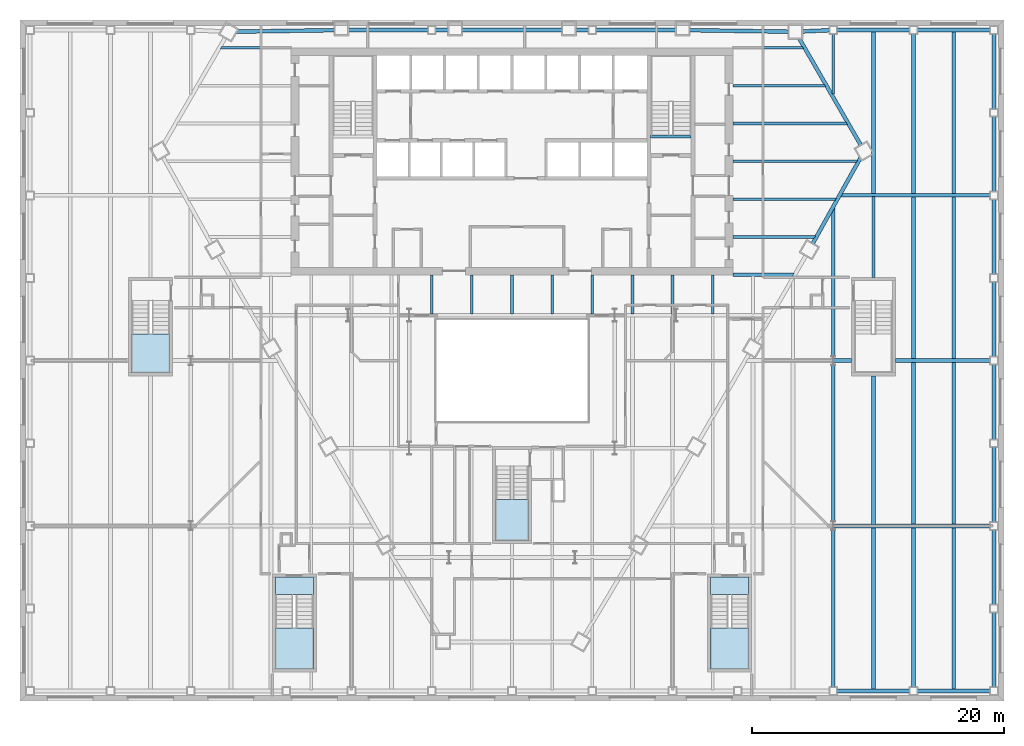
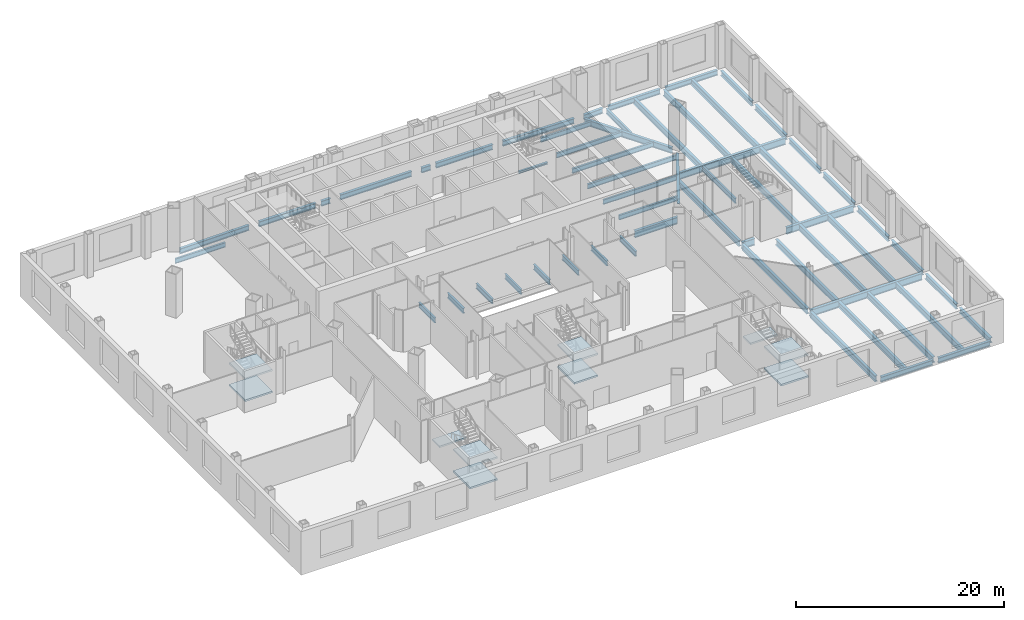
# One storey, part 6 of 21: 59 beams, 10 slabs, 4 elements without a shape of their own.
"""IFC4 building model written with IfcOpenShell, lengths in metres."""

from ifc_helpers import new_model, si_unit, direction, frame, origin, origin_2d, place, context, subcontext, project, spatial, polyline, i_section, outline, extrude, clip, halfspace, material, layer, layer_set, material_profile, profile_set, type_object, element, aggregate, save


model = new_model("IFC4")

# Units and contexts
model_context = context("Model", 3, precision=1e-05, world=origin(), true_north=direction((0.0, 1.0)))
body_context = subcontext(model_context, "Body", "Model", "MODEL_VIEW")
ifc_project = project(units=[si_unit("LENGTHUNIT", "METRE"), si_unit("AREAUNIT", "SQUARE_METRE"), si_unit("VOLUMEUNIT", "CUBIC_METRE"), si_unit("PLANEANGLEUNIT", "RADIAN"), si_unit("MASSUNIT", "GRAM", prefix="KILO")], contexts=[model_context])

# Site, building, storey
site_placement = place(None, origin())
site = spatial("IfcSite", under=ifc_project, at=site_placement, CompositionType="ELEMENT")
building_placement = place(site_placement, origin())
building = spatial("IfcBuilding", under=site, at=building_placement, Name="Njiva Tower", CompositionType="ELEMENT")
storey_placement = place(building_placement, frame((0.0, 0.0, 8.4)))
storey = spatial("IfcBuildingStorey", under=building, at=storey_placement, Name="L01", CompositionType="ELEMENT", Elevation=8.4)

# Beams
ifc_material_1 = material(Name="Steel S355 J2", Category="steel")
ifc_material_profile_1 = material_profile(ifc_material_1, i_section(OverallWidth=0.3, OverallDepth=0.69, WebThickness=0.0145, FlangeThickness=0.027, at=origin_2d()), Name="HEA 700")
ifc_profile_set_1 = profile_set([ifc_material_profile_1], Name="Steel S355 J2")
beam_type_1 = type_object("IfcBeamType", Name="B1 Long-span spandrel beam HEA 700", PredefinedType="SPANDREL", material=ifc_profile_set_1)
beam_1_placement = place(storey_placement, frame((27.648, 10.284, -0.565), z_axis=(-0.500015802937, 0.866016279763, 0.0), x_axis=(-0.866016279763, -0.500015802937, 0.0)))
element("IfcBeam", 1, at=beam_1_placement, inside=storey, type_object=beam_type_1, Name="Long-span spandrel beam L01-B173", PredefinedType="SPANDREL", context=body_context, shape_type="Clipping", body=[
    clip(extrude(i_section(OverallWidth=0.3, OverallDepth=0.69, WebThickness=0.0145, FlangeThickness=0.027, at=origin_2d()), origin(), (0.0, 0.0, 1.0), 9.8447), halfspace(frame((-0.0248, 0.0, 9.7234), z_axis=(-0.500015802937, 0.0, 0.866016279763), x_axis=(0.0, 1.0, 0.0)), False)),
])
ifc_material_profile_2 = material_profile(ifc_material_1, i_section(OverallWidth=0.21, OverallDepth=0.55, WebThickness=0.0111, FlangeThickness=0.0172, at=origin_2d()), Name="IPE 550")
ifc_profile_set_2 = profile_set([ifc_material_profile_2], Name="Steel S355 J2")
beam_type_2 = type_object("IfcBeamType", Name="B10 Floor beam to the core IPE 550", PredefinedType="BEAM", material=ifc_profile_set_2)
beam_2_placement = place(storey_placement, frame((17.5, 3.0, -0.495), z_axis=(1.0, 0.0, 0.0), x_axis=(0.0, 1.0, 0.0)))
element("IfcBeam", 2, at=beam_2_placement, inside=storey, type_object=beam_type_2, Name="Floor beam to the core L01-B007", PredefinedType="BEAM", context=body_context, shape_type="Clipping", body=[
    clip(extrude(i_section(OverallWidth=0.21, OverallDepth=0.55, WebThickness=0.0111, FlangeThickness=0.0172, at=origin_2d()), origin(), (0.0, 0.0, 1.0), 6.591), halfspace(frame((-0.0244, 0.0, 6.4981), z_axis=(-0.487051738924, 0.0, 0.87337311821), x_axis=(0.0, 1.0, 0.0)), False)),
])
beam_3_placement = place(storey_placement, frame((17.5, 6.0, -0.495), z_axis=(1.0, 0.0, 0.0), x_axis=(0.0, 1.0, 0.0)))
element("IfcBeam", 3, at=beam_3_placement, inside=storey, type_object=beam_type_2, Name="Floor beam to the core L01-B008", PredefinedType="BEAM", context=body_context, shape_type="Clipping", body=[
    clip(extrude(i_section(OverallWidth=0.21, OverallDepth=0.55, WebThickness=0.0111, FlangeThickness=0.0172, at=origin_2d()), origin(), (0.0, 0.0, 1.0), 8.264), halfspace(frame((-0.0244, 0.0, 8.171), z_axis=(-0.487051738924, 0.0, 0.87337311821), x_axis=(0.0, 1.0, 0.0)), False)),
])
beam_4_placement = place(storey_placement, frame((17.5, 12.0, -0.495), z_axis=(1.0, 0.0, 0.0), x_axis=(0.0, 1.0, 0.0)))
element("IfcBeam", 4, at=beam_4_placement, inside=storey, type_object=beam_type_2, Name="Floor beam to the core L01-B010", PredefinedType="BEAM", context=body_context, shape_type="Clipping", body=[
    clip(extrude(i_section(OverallWidth=0.21, OverallDepth=0.55, WebThickness=0.0111, FlangeThickness=0.0172, at=origin_2d()), origin(), (0.0, 0.0, 1.0), 9.122), halfspace(frame((0.025, 0.0, 9.0269), z_axis=(0.499998009787, 0.0, 0.866026552831), x_axis=(0.0, 1.0, 0.0)), False)),
])
beam_5_placement = place(storey_placement, frame((17.5, 15.0, -0.495), z_axis=(1.0, 0.0, 0.0), x_axis=(0.0, 1.0, 0.0)))
element("IfcBeam", 5, at=beam_5_placement, inside=storey, type_object=beam_type_2, Name="Floor beam to the core L01-B011", PredefinedType="BEAM", context=body_context, shape_type="Clipping", body=[
    clip(extrude(i_section(OverallWidth=0.21, OverallDepth=0.55, WebThickness=0.0111, FlangeThickness=0.0172, at=origin_2d()), origin(), (0.0, 0.0, 1.0), 7.39), halfspace(frame((0.025, 0.0, 7.2949), z_axis=(0.499998009787, 0.0, 0.866026552831), x_axis=(0.0, 1.0, 0.0)), False)),
])
beam_6_placement = place(storey_placement, frame((-23.158, 18.0, -0.495), z_axis=(1.0, 0.0, 0.0), x_axis=(0.0, 1.0, 0.0)))
element("IfcBeam", 6, at=beam_6_placement, inside=storey, type_object=beam_type_2, Name="Floor beam to the core L01-B006", PredefinedType="BEAM", context=body_context, shape_type="Clipping", body=[
    clip(extrude(i_section(OverallWidth=0.21, OverallDepth=0.55, WebThickness=0.0111, FlangeThickness=0.0172, at=origin_2d()), origin(), (0.0, 0.0, 1.0), 5.658), halfspace(frame((0.025, 0.0, 0.0952), z_axis=(0.499998009787, 0.0, -0.866026552831), x_axis=(0.0, -1.0, 0.0)), False)),
])
beam_7_placement = place(storey_placement, frame((17.5, 18.0, -0.495), z_axis=(1.0, 0.0, 0.0), x_axis=(0.0, 1.0, 0.0)))
element("IfcBeam", 7, at=beam_7_placement, inside=storey, type_object=beam_type_2, Name="Floor beam to the core L01-B012", PredefinedType="BEAM", context=body_context, shape_type="Clipping", body=[
    clip(extrude(i_section(OverallWidth=0.21, OverallDepth=0.55, WebThickness=0.0111, FlangeThickness=0.0172, at=origin_2d()), origin(), (0.0, 0.0, 1.0), 5.658), halfspace(frame((0.025, 0.0, 5.5628), z_axis=(0.499998009787, 0.0, 0.866026552831), x_axis=(0.0, 1.0, 0.0)), False)),
])
ifc_material_profile_3 = material_profile(ifc_material_1, i_section(OverallWidth=0.21, OverallDepth=0.55, WebThickness=0.0111, FlangeThickness=0.0172, at=origin_2d()), Name="IPE 550")
ifc_profile_set_3 = profile_set([ifc_material_profile_3], Name="Steel S355 J2")
beam_type_3 = type_object("IfcBeamType", Name="B11 Long-span floor beam to the core IPE 550", PredefinedType="BEAM", material=ifc_profile_set_3)
beam_8_placement = place(storey_placement, frame((17.5, 9.0, -0.495), z_axis=(1.0, 0.0, 0.0), x_axis=(0.0, 1.0, 0.0)))
element("IfcBeam", 8, at=beam_8_placement, inside=storey, type_object=beam_type_3, Name="Long-span floor beam to the core L01-B009", PredefinedType="BEAM", context=body_context, shape_type="Clipping", body=[
    clip(extrude(i_section(OverallWidth=0.21, OverallDepth=0.55, WebThickness=0.0111, FlangeThickness=0.0172, at=origin_2d()), origin(), (0.0, 0.0, 1.0), 9.937), halfspace(frame((-0.0244, 0.0, 9.844), z_axis=(-0.487051738924, 0.0, 0.87337311821), x_axis=(0.0, 1.0, 0.0)), False)),
])
ifc_material_profile_4 = material_profile(ifc_material_1, i_section(OverallWidth=0.3, OverallDepth=0.69, WebThickness=0.0145, FlangeThickness=0.027, at=origin_2d()), Name="HEA 700")
ifc_profile_set_4 = profile_set([ifc_material_profile_4], Name="Steel S355 J2")
beam_type_4 = type_object("IfcBeamType", Name="B12 Long-span floor joist HEA 700", PredefinedType="JOIST", material=ifc_profile_set_4)
beam_9_placement = place(storey_placement, frame((25.467, 5.288, -0.565), z_axis=(0.0, -1.0, 0.0), x_axis=(1.0, 0.0, 0.0)))
element("IfcBeam", 9, at=beam_9_placement, inside=storey, type_object=beam_type_4, Name="Long-span floor joist L01-B116", PredefinedType="JOIST", context=body_context, shape_type="SweptSolid", body=[
    extrude(i_section(OverallWidth=0.3, OverallDepth=0.69, WebThickness=0.0145, FlangeThickness=0.027, at=origin_2d()), origin(), (0.0, 0.0, 1.0), 11.78),
])
beam_10_placement = place(storey_placement, frame((25.467, -7.108, -0.565), z_axis=(0.0, -1.0, 0.0), x_axis=(1.0, 0.0, 0.0)))
element("IfcBeam", 10, at=beam_10_placement, inside=storey, type_object=beam_type_4, Name="Long-span floor joist L01-B115", PredefinedType="JOIST", context=body_context, shape_type="SweptSolid", body=[
    extrude(i_section(OverallWidth=0.3, OverallDepth=0.69, WebThickness=0.0145, FlangeThickness=0.027, at=origin_2d()), origin(), (0.0, 0.0, 1.0), 12.484),
])
beam_11_placement = place(storey_placement, frame((25.467, -20.208, -0.565), z_axis=(0.0, -1.0, 0.0), x_axis=(1.0, 0.0, 0.0)))
element("IfcBeam", 11, at=beam_11_placement, inside=storey, type_object=beam_type_4, Name="Long-span floor joist L01-B114", PredefinedType="JOIST", context=body_context, shape_type="SweptSolid", body=[
    extrude(i_section(OverallWidth=0.3, OverallDepth=0.69, WebThickness=0.0145, FlangeThickness=0.027, at=origin_2d()), origin(), (0.0, 0.0, 1.0), 12.492),
])
beam_12_placement = place(storey_placement, frame((28.65, 19.3, -0.565), z_axis=(0.0, -1.0, 0.0), x_axis=(1.0, 0.0, 0.0)))
element("IfcBeam", 12, at=beam_12_placement, inside=storey, type_object=beam_type_4, Name="Long-span floor joist L01-B121", PredefinedType="JOIST", context=body_context, shape_type="SweptSolid", body=[
    extrude(i_section(OverallWidth=0.3, OverallDepth=0.69, WebThickness=0.0145, FlangeThickness=0.027, at=origin_2d()), origin(), (0.0, 0.0, 1.0), 12.9),
])
beam_13_placement = place(storey_placement, frame((28.65, -8.0, -0.565), z_axis=(0.0, -1.0, 0.0), x_axis=(1.0, 0.0, 0.0)))
element("IfcBeam", 13, at=beam_13_placement, inside=storey, type_object=beam_type_4, Name="Long-span floor joist L01-B119", PredefinedType="JOIST", context=body_context, shape_type="SweptSolid", body=[
    extrude(i_section(OverallWidth=0.3, OverallDepth=0.69, WebThickness=0.0145, FlangeThickness=0.027, at=origin_2d()), origin(), (0.0, 0.0, 1.0), 11.8),
])
beam_14_placement = place(storey_placement, frame((28.65, -20.0, -0.565), z_axis=(0.0, -1.0, 0.0), x_axis=(1.0, 0.0, 0.0)))
element("IfcBeam", 14, at=beam_14_placement, inside=storey, type_object=beam_type_4, Name="Long-span floor joist L01-B118", PredefinedType="JOIST", context=body_context, shape_type="SweptSolid", body=[
    extrude(i_section(OverallWidth=0.3, OverallDepth=0.69, WebThickness=0.0145, FlangeThickness=0.027, at=origin_2d()), origin(), (0.0, 0.0, 1.0), 12.9),
])
beam_15_placement = place(storey_placement, frame((31.833, 19.1, -0.565), z_axis=(0.0, -1.0, 0.0), x_axis=(1.0, 0.0, 0.0)))
element("IfcBeam", 15, at=beam_15_placement, inside=storey, type_object=beam_type_4, Name="Long-span floor joist L01-B125", PredefinedType="JOIST", context=body_context, shape_type="SweptSolid", body=[
    extrude(i_section(OverallWidth=0.3, OverallDepth=0.69, WebThickness=0.0145, FlangeThickness=0.027, at=origin_2d()), origin(), (0.0, 0.0, 1.0), 12.7),
])
for number, where, z_axis, x_axis, name in (
    (16, (31.833, 6.2, -0.565), (0.0, -1.0, 0.0), (1.0, 0.0, 0.0), "Long-span floor joist L01-B124"),
    (17, (31.833, -6.9, -0.565), (0.0, -1.0, 0.0), (1.0, 0.0, 0.0), "Long-span floor joist L01-B123"),
):
    element("IfcBeam", number, at=place(storey_placement, frame(where, z_axis=z_axis, x_axis=x_axis)), inside=storey, type_object=beam_type_4, Name=name, PredefinedType="JOIST", context=body_context, shape_type="SweptSolid", body=[
        extrude(i_section(OverallWidth=0.3, OverallDepth=0.69, WebThickness=0.0145, FlangeThickness=0.027, at=origin_2d()), origin(), (0.0, 0.0, 1.0), 12.9),
    ])
beam_16_placement = place(storey_placement, frame((31.833, -20.0, -0.565), z_axis=(0.0, -1.0, 0.0), x_axis=(1.0, 0.0, 0.0)))
element("IfcBeam", 18, at=beam_16_placement, inside=storey, type_object=beam_type_4, Name="Long-span floor joist L01-B122", PredefinedType="JOIST", context=body_context, shape_type="SweptSolid", body=[
    extrude(i_section(OverallWidth=0.3, OverallDepth=0.69, WebThickness=0.0145, FlangeThickness=0.027, at=origin_2d()), origin(), (0.0, 0.0, 1.0), 12.7),
])
for number, where, z_axis, x_axis, name in (
    (19, (35.017, 19.3, -0.565), (0.0, -1.0, 0.0), (1.0, 0.0, 0.0), "Long-span floor joist L01-B129"),
    (20, (35.017, 6.2, -0.565), (0.0, -1.0, 0.0), (1.0, 0.0, 0.0), "Long-span floor joist L01-B128"),
    (21, (35.017, -6.9, -0.565), (0.0, -1.0, 0.0), (1.0, 0.0, 0.0), "Long-span floor joist L01-B127"),
    (22, (35.017, -20.0, -0.565), (0.0, -1.0, 0.0), (1.0, 0.0, 0.0), "Long-span floor joist L01-B126"),
):
    element("IfcBeam", number, at=place(storey_placement, frame(where, z_axis=z_axis, x_axis=x_axis)), inside=storey, type_object=beam_type_4, Name=name, PredefinedType="JOIST", context=body_context, shape_type="SweptSolid", body=[
        extrude(i_section(OverallWidth=0.3, OverallDepth=0.69, WebThickness=0.0145, FlangeThickness=0.027, at=origin_2d()), origin(), (0.0, 0.0, 1.0), 12.9),
    ])
ifc_material_profile_5 = material_profile(ifc_material_1, i_section(OverallWidth=0.22, OverallDepth=0.6, WebThickness=0.012, FlangeThickness=0.019, at=origin_2d()), Name="IPE 600")
ifc_profile_set_5 = profile_set([ifc_material_profile_5], Name="Steel S355 J2")
beam_type_5 = type_object("IfcBeamType", Name="B13 Floor joist IPE 600", PredefinedType="JOIST", material=ifc_profile_set_5)
beam_17_placement = place(storey_placement, frame((25.467, 19.1, -0.52), z_axis=(0.0, -1.0, 0.0), x_axis=(1.0, 0.0, 0.0)))
element("IfcBeam", 23, at=beam_17_placement, inside=storey, type_object=beam_type_5, Name="Floor joist L01-B117", PredefinedType="JOIST", context=body_context, shape_type="SweptSolid", body=[
    extrude(i_section(OverallWidth=0.22, OverallDepth=0.6, WebThickness=0.012, FlangeThickness=0.019, at=origin_2d()), origin(), (0.0, 0.0, 1.0), 4.772),
])
beam_18_placement = place(storey_placement, frame((28.65, 6.2, -0.52), z_axis=(0.0, -1.0, 0.0), x_axis=(1.0, 0.0, 0.0)))
element("IfcBeam", 24, at=beam_18_placement, inside=storey, type_object=beam_type_5, Name="Floor joist L01-B120", PredefinedType="JOIST", context=body_context, shape_type="SweptSolid", body=[
    extrude(i_section(OverallWidth=0.22, OverallDepth=0.6, WebThickness=0.012, FlangeThickness=0.019, at=origin_2d()), origin(), (0.0, 0.0, 1.0), 6.4),
])
ifc_material_profile_6 = material_profile(ifc_material_1, i_section(OverallWidth=0.22, OverallDepth=0.6, WebThickness=0.012, FlangeThickness=0.019, at=origin_2d()), Name="IPE 600")
ifc_profile_set_6 = profile_set([ifc_material_profile_6], Name="Steel S355 J2")
beam_type_6 = type_object("IfcBeamType", Name="B14 Short-span floor joist IPE 600", PredefinedType="JOIST", material=ifc_profile_set_6)
for number, where, z_axis, x_axis, name in (
    (25, (-6.367, -0.005, -0.52), (0.0, -1.0, 0.0), (1.0, 0.0, 0.0), "Short-span floor joist L01-B076"),
    (26, (-3.183, -0.005, -0.52), (0.0, -1.0, 0.0), (1.0, 0.0, 0.0), "Short-span floor joist L01-B080"),
    (27, (0.0, -0.005, -0.52), (0.0, -1.0, 0.0), (1.0, 0.0, 0.0), "Short-span floor joist L01-B084"),
    (28, (3.183, -0.005, -0.52), (0.0, -1.0, 0.0), (1.0, 0.0, 0.0), "Short-span floor joist L01-B088"),
    (29, (6.367, -0.005, -0.52), (0.0, -1.0, 0.0), (1.0, 0.0, 0.0), "Short-span floor joist L01-B092"),
):
    element("IfcBeam", number, at=place(storey_placement, frame(where, z_axis=z_axis, x_axis=x_axis)), inside=storey, type_object=beam_type_6, Name=name, PredefinedType="JOIST", context=body_context, shape_type="SweptSolid", body=[
        extrude(i_section(OverallWidth=0.22, OverallDepth=0.6, WebThickness=0.012, FlangeThickness=0.019, at=origin_2d()), origin(), (0.0, 0.0, 1.0), 3.094),
    ])
for number, where, z_axis, x_axis, name in (
    (30, (9.55, -0.005, -0.52), (0.0, -1.0, 0.0), (1.0, 0.0, 0.0), "Short-span floor joist L01-B096"),
    (31, (12.733, -0.005, -0.52), (0.0, -1.0, 0.0), (1.0, 0.0, 0.0), "Short-span floor joist L01-B101"),
    (32, (15.917, -0.005, -0.52), (0.0, -1.0, 0.0), (1.0, 0.0, 0.0), "Short-span floor joist L01-B106"),
):
    element("IfcBeam", number, at=place(storey_placement, frame(where, z_axis=z_axis, x_axis=x_axis)), inside=storey, type_object=beam_type_6, Name=name, PredefinedType="JOIST", context=body_context, shape_type="SweptSolid", body=[
        extrude(i_section(OverallWidth=0.22, OverallDepth=0.6, WebThickness=0.012, FlangeThickness=0.019, at=origin_2d()), origin(), (0.0, 0.0, 1.0), 3.095),
    ])
ifc_material_profile_7 = material_profile(ifc_material_1, i_section(OverallWidth=0.3, OverallDepth=0.6, WebThickness=0.0155, FlangeThickness=0.03, at=origin_2d()), Name="HEB 600")
ifc_profile_set_7 = profile_set([ifc_material_profile_7], Name="Steel S355 J2")
beam_type_7 = type_object("IfcBeamType", Name="B2 Spandrel beam HEB 600", PredefinedType="SPANDREL", material=ifc_profile_set_7)
beam_19_placement = place(storey_placement, frame((23.837, 2.482, -0.52), z_axis=(0.487077780218, 0.873358595319, 0.0), x_axis=(-0.873358595319, 0.487077780218, 0.0)))
element("IfcBeam", 33, at=beam_19_placement, inside=storey, type_object=beam_type_7, Name="Spandrel beam L01-B175", PredefinedType="SPANDREL", context=body_context, shape_type="Clipping", body=[
    clip(extrude(i_section(OverallWidth=0.3, OverallDepth=0.6, WebThickness=0.0155, FlangeThickness=0.03, at=origin_2d()), origin(), (0.0, 0.0, 1.0), 7.8582), halfspace(frame((-0.0257, 0.0, 7.7326), z_axis=(-0.51281381297, 0.0, 0.858499850453), x_axis=(0.0, 1.0, 0.0)), False)),
])
for number, where, z_axis, x_axis, name in (
    (34, (38.2, -32.7, -0.52), (0.0, 1.0, 0.0), (-1.0, 0.0, 0.0), "Spandrel beam L01-B180"),
    (35, (38.2, -26.15, -0.52), (0.0, 1.0, 0.0), (-1.0, 0.0, 0.0), "Spandrel beam L01-B181"),
    (36, (38.2, -19.6, -0.52), (0.0, 1.0, 0.0), (-1.0, 0.0, 0.0), "Spandrel beam L01-B182"),
    (37, (38.2, -13.05, -0.52), (0.0, 1.0, 0.0), (-1.0, 0.0, 0.0), "Spandrel beam L01-B183"),
    (38, (38.2, -6.5, -0.52), (0.0, 1.0, 0.0), (-1.0, 0.0, 0.0), "Spandrel beam L01-B184"),
    (39, (38.2, 0.05, -0.52), (0.0, 1.0, 0.0), (-1.0, 0.0, 0.0), "Spandrel beam L01-B185"),
    (40, (38.2, 6.6, -0.52), (0.0, 1.0, 0.0), (-1.0, 0.0, 0.0), "Spandrel beam L01-B186"),
    (41, (38.2, 13.15, -0.52), (0.0, 1.0, 0.0), (-1.0, 0.0, 0.0), "Spandrel beam L01-B187"),
):
    element("IfcBeam", number, at=place(storey_placement, frame(where, z_axis=z_axis, x_axis=x_axis)), inside=storey, type_object=beam_type_7, Name=name, PredefinedType="SPANDREL", context=body_context, shape_type="SweptSolid", body=[
        extrude(i_section(OverallWidth=0.3, OverallDepth=0.6, WebThickness=0.0155, FlangeThickness=0.03, at=origin_2d()), origin(), (0.0, 0.0, 1.0), 5.95),
    ])
beam_20_placement = place(storey_placement, frame((25.767, -33.0, -0.52), z_axis=(1.0, 0.0, 0.0), x_axis=(0.0, 1.0, 0.0)))
element("IfcBeam", 42, at=beam_20_placement, inside=storey, type_object=beam_type_7, Name="Spandrel beam L01-B176", PredefinedType="SPANDREL", context=body_context, shape_type="SweptSolid", body=[
    extrude(i_section(OverallWidth=0.3, OverallDepth=0.6, WebThickness=0.0155, FlangeThickness=0.03, at=origin_2d()), origin(), (0.0, 0.0, 1.0), 5.766),
])
beam_21_placement = place(storey_placement, frame((32.133, -33.0, -0.52), z_axis=(1.0, 0.0, 0.0), x_axis=(0.0, 1.0, 0.0)))
element("IfcBeam", 43, at=beam_21_placement, inside=storey, type_object=beam_type_7, Name="Spandrel beam L01-B178", PredefinedType="SPANDREL", context=body_context, shape_type="SweptSolid", body=[
    extrude(i_section(OverallWidth=0.3, OverallDepth=0.6, WebThickness=0.0155, FlangeThickness=0.03, at=origin_2d()), origin(), (0.0, 0.0, 1.0), 5.767),
])
beam_22_placement = place(storey_placement, frame((-21.93, 19.2744, -0.52), z_axis=(0.99988785754, 0.014975725174, 0.0), x_axis=(-0.014975725174, 0.99988785754, 0.0)))
element("IfcBeam", 44, at=beam_22_placement, inside=storey, type_object=beam_type_7, Name="Spandrel beam L01-B151", PredefinedType="SPANDREL", context=body_context, shape_type="Clipping", body=[
    clip(extrude(i_section(OverallWidth=0.3, OverallDepth=0.6, WebThickness=0.0155, FlangeThickness=0.03, at=origin_2d()), origin(), (0.0, 0.0, 1.0), 7.8559), halfspace(frame((0.0261, 0.0, 0.1249), z_axis=(0.512911314429, 0.0, -0.858441601701), x_axis=(0.0, -1.0, 0.0)), False)),
])
beam_23_placement = place(storey_placement, frame((-12.973, 19.4, -0.52), z_axis=(1.0, 0.0, 0.0), x_axis=(0.0, 1.0, 0.0)))
element("IfcBeam", 45, at=beam_23_placement, inside=storey, type_object=beam_type_7, Name="Spandrel beam L01-B155", PredefinedType="SPANDREL", context=body_context, shape_type="SweptSolid", body=[
    extrude(i_section(OverallWidth=0.3, OverallDepth=0.6, WebThickness=0.0155, FlangeThickness=0.03, at=origin_2d()), origin(), (0.0, 0.0, 1.0), 6.306),
])
beam_24_placement = place(storey_placement, frame((-3.958, 19.4, -0.52), z_axis=(1.0, 0.0, 0.0), x_axis=(0.0, 1.0, 0.0)))
element("IfcBeam", 46, at=beam_24_placement, inside=storey, type_object=beam_type_7, Name="Spandrel beam L01-B161", PredefinedType="SPANDREL", context=body_context, shape_type="SweptSolid", body=[
    extrude(i_section(OverallWidth=0.3, OverallDepth=0.6, WebThickness=0.0155, FlangeThickness=0.03, at=origin_2d()), origin(), (0.0, 0.0, 1.0), 7.916),
])
beam_25_placement = place(storey_placement, frame((6.667, 19.4, -0.52), z_axis=(1.0, 0.0, 0.0), x_axis=(0.0, 1.0, 0.0)))
element("IfcBeam", 47, at=beam_25_placement, inside=storey, type_object=beam_type_7, Name="Spandrel beam L01-B166", PredefinedType="SPANDREL", context=body_context, shape_type="SweptSolid", body=[
    extrude(i_section(OverallWidth=0.3, OverallDepth=0.6, WebThickness=0.0155, FlangeThickness=0.03, at=origin_2d()), origin(), (0.0, 0.0, 1.0), 6.306),
])
beam_26_placement = place(storey_placement, frame((14.075, 19.392, -0.52), z_axis=(0.999888493047, -0.014933233812, 0.0), x_axis=(0.014933233812, 0.999888493047, 0.0)))
element("IfcBeam", 48, at=beam_26_placement, inside=storey, type_object=beam_type_7, Name="Spandrel beam L01-B169", PredefinedType="SPANDREL", context=body_context, shape_type="SweptSolid", body=[
    extrude(i_section(OverallWidth=0.3, OverallDepth=0.6, WebThickness=0.0155, FlangeThickness=0.03, at=origin_2d()), origin(), (0.0, 0.0, 1.0), 7.8349),
])
beam_27_placement = place(storey_placement, frame((25.767, 19.4, -0.52), z_axis=(1.0, 0.0, 0.0), x_axis=(0.0, 1.0, 0.0)))
element("IfcBeam", 49, at=beam_27_placement, inside=storey, type_object=beam_type_7, Name="Spandrel beam L01-B177", PredefinedType="SPANDREL", context=body_context, shape_type="SweptSolid", body=[
    extrude(i_section(OverallWidth=0.3, OverallDepth=0.6, WebThickness=0.0155, FlangeThickness=0.03, at=origin_2d()), origin(), (0.0, 0.0, 1.0), 5.766),
])
beam_28_placement = place(storey_placement, frame((32.133, 19.4, -0.52), z_axis=(1.0, 0.0, 0.0), x_axis=(0.0, 1.0, 0.0)))
element("IfcBeam", 50, at=beam_28_placement, inside=storey, type_object=beam_type_7, Name="Spandrel beam L01-B179", PredefinedType="SPANDREL", context=body_context, shape_type="SweptSolid", body=[
    extrude(i_section(OverallWidth=0.3, OverallDepth=0.6, WebThickness=0.0155, FlangeThickness=0.03, at=origin_2d()), origin(), (0.0, 0.0, 1.0), 5.767),
])
ifc_material_profile_8 = material_profile(ifc_material_1, i_section(OverallWidth=0.3, OverallDepth=0.6, WebThickness=0.0155, FlangeThickness=0.03, at=origin_2d()), Name="HEB 600")
ifc_profile_set_8 = profile_set([ifc_material_profile_8], Name="Steel S355 J2")
beam_type_8 = type_object("IfcBeamType", Name="B3 Short-span spandrel beam HEB 600", PredefinedType="SPANDREL", material=ifc_profile_set_8)
for number, where, z_axis, x_axis, name in (
    (51, (-6.067, 19.4, -0.52), (1.0, 0.0, 0.0), (0.0, 1.0, 0.0), "Short-span spandrel beam L01-B159"),
    (52, (5.058, 19.4, -0.52), (1.0, 0.0, 0.0), (0.0, 1.0, 0.0), "Short-span spandrel beam L01-B163"),
):
    element("IfcBeam", number, at=place(storey_placement, frame(where, z_axis=z_axis, x_axis=x_axis)), inside=storey, type_object=beam_type_8, Name=name, PredefinedType="SPANDREL", context=body_context, shape_type="SweptSolid", body=[
        extrude(i_section(OverallWidth=0.3, OverallDepth=0.6, WebThickness=0.0155, FlangeThickness=0.03, at=origin_2d()), origin(), (0.0, 0.0, 1.0), 1.009),
    ])
beam_29_placement = place(storey_placement, frame((23.017, 19.291, -0.52), z_axis=(0.999019768344, 0.04426626772, 0.0), x_axis=(-0.04426626772, 0.999019768344, 0.0)))
element("IfcBeam", 53, at=beam_29_placement, inside=storey, type_object=beam_type_8, Name="Short-span spandrel beam L01-B174", PredefinedType="SPANDREL", context=body_context, shape_type="SweptSolid", body=[
    extrude(i_section(OverallWidth=0.3, OverallDepth=0.6, WebThickness=0.0155, FlangeThickness=0.03, at=origin_2d()), origin(), (0.0, 0.0, 1.0), 2.1461),
])
ifc_material_profile_9 = material_profile(ifc_material_1, i_section(OverallWidth=0.3, OverallDepth=0.79, WebThickness=0.015, FlangeThickness=0.028, at=origin_2d()), Name="HEA 800")
ifc_profile_set_9 = profile_set([ifc_material_profile_9], Name="Steel S355 J2")
beam_type_9 = type_object("IfcBeamType", Name="B4 Floor girder HEA 800", PredefinedType="BEAM", material=ifc_profile_set_9)
beam_30_placement = place(storey_placement, frame((17.5, 0.0, -0.615), z_axis=(1.0, 0.0, 0.0), x_axis=(0.0, 1.0, 0.0)))
element("IfcBeam", 54, at=beam_30_placement, inside=storey, type_object=beam_type_9, Name="Floor girder L01-B030", PredefinedType="BEAM", context=body_context, shape_type="Clipping", body=[
    clip(extrude(i_section(OverallWidth=0.3, OverallDepth=0.79, WebThickness=0.015, FlangeThickness=0.028, at=origin_2d()), origin(), (0.0, 0.0, 1.0), 4.905), halfspace(frame((-0.025, 0.0, 4.7839), z_axis=(-0.499998009787, 0.0, 0.866026552831), x_axis=(0.0, 1.0, 0.0)), False)),
])
beam_31_placement = place(storey_placement, frame((30.4, -6.8, -0.615), z_axis=(1.0, 0.0, 0.0), x_axis=(0.0, 1.0, 0.0)))
element("IfcBeam", 55, at=beam_31_placement, inside=storey, type_object=beam_type_9, Name="Floor girder L01-B035", PredefinedType="BEAM", context=body_context, shape_type="SweptSolid", body=[
    extrude(i_section(OverallWidth=0.3, OverallDepth=0.79, WebThickness=0.015, FlangeThickness=0.028, at=origin_2d()), origin(), (0.0, 0.0, 1.0), 7.5),
])
ifc_material_profile_10 = material_profile(ifc_material_1, i_section(OverallWidth=0.3, OverallDepth=0.79, WebThickness=0.015, FlangeThickness=0.028, at=origin_2d()), Name="HEA 800")
ifc_profile_set_10 = profile_set([ifc_material_profile_10], Name="Steel S355 J2")
beam_type_10 = type_object("IfcBeamType", Name="B5 Short-span floor girder HEA 800", PredefinedType="BEAM", material=ifc_profile_set_10)
beam_32_placement = place(storey_placement, frame((25.467, -6.8, -0.615), z_axis=(1.0, 0.0, 0.0), x_axis=(0.0, 1.0, 0.0)))
element("IfcBeam", 56, at=beam_32_placement, inside=storey, type_object=beam_type_10, Name="Short-span floor girder L01-B033", PredefinedType="BEAM", context=body_context, shape_type="SweptSolid", body=[
    extrude(i_section(OverallWidth=0.3, OverallDepth=0.79, WebThickness=0.015, FlangeThickness=0.028, at=origin_2d()), origin(), (0.0, 0.0, 1.0), 1.433),
])
ifc_material_profile_11 = material_profile(ifc_material_1, i_section(OverallWidth=0.3, OverallDepth=0.79, WebThickness=0.015, FlangeThickness=0.028, at=origin_2d()), Name="HEA 800")
ifc_profile_set_11 = profile_set([ifc_material_profile_11], Name="Steel S355 J2")
beam_type_11 = type_object("IfcBeamType", Name="B6 Long-span floor girder HEA 800", PredefinedType="BEAM", material=ifc_profile_set_11)
beam_33_placement = place(storey_placement, frame((26.035, 6.3, -0.615), z_axis=(1.0, 0.0, 0.0), x_axis=(0.0, 1.0, 0.0)))
element("IfcBeam", 57, at=beam_33_placement, inside=storey, type_object=beam_type_11, Name="Long-span floor girder L01-B034", PredefinedType="BEAM", context=body_context, shape_type="SweptSolid", body=[
    extrude(i_section(OverallWidth=0.3, OverallDepth=0.79, WebThickness=0.015, FlangeThickness=0.028, at=origin_2d()), origin(), (0.0, 0.0, 1.0), 11.865),
])
beam_34_placement = place(storey_placement, frame((25.467, -19.9, -0.615), z_axis=(1.0, 0.0, 0.0), x_axis=(0.0, 1.0, 0.0)))
element("IfcBeam", 58, at=beam_34_placement, inside=storey, type_object=beam_type_11, Name="Long-span floor girder L01-B032", PredefinedType="BEAM", context=body_context, shape_type="SweptSolid", body=[
    extrude(i_section(OverallWidth=0.3, OverallDepth=0.79, WebThickness=0.015, FlangeThickness=0.028, at=origin_2d()), origin(), (0.0, 0.0, 1.0), 12.433),
])
ifc_material_profile_12 = material_profile(ifc_material_1, i_section(OverallWidth=0.24, OverallDepth=0.23, WebThickness=0.0075, FlangeThickness=0.012, at=origin_2d()), Name="HEA240")
ifc_profile_set_12 = profile_set([ifc_material_profile_12], Name="Steel S355 J2")
beam_type_12 = type_object("IfcBeamType", Name="FL8 Landing beam HEA 240", PredefinedType="BEAM", material=ifc_profile_set_12)
beam_35_placement = place(storey_placement, frame((10.994, 10.98, 2.235), z_axis=(1.0, 0.0, 0.0), x_axis=(0.0, 1.0, 0.0)))
element("IfcBeam", 59, at=beam_35_placement, inside=storey, type_object=beam_type_12, Name="Landing beam", PredefinedType="BEAM", context=body_context, shape_type="SweptSolid", body=[
    extrude(i_section(OverallWidth=0.24, OverallDepth=0.23, WebThickness=0.0075, FlangeThickness=0.012, at=origin_2d()), origin(), (0.0, 0.0, 1.0), 3.212),
])

# Stair, slabs
ifc_material_2 = material(Name="Concrete C40/50", Category="concrete")
stair_type_1 = type_object("IfcStairType", Name="ST1 Exit stair 1250", PredefinedType="HALF_TURN_STAIR", material=ifc_material_2)
stair_1_placement = place(storey_placement, origin())
stair_1 = element("IfcStair", 60, at=stair_1_placement, inside=storey, type_object=stair_type_1, Name="Stair C", PredefinedType="DOUBLE_RETURN_STAIR")
ifc_layer = layer(ifc_material_2, 0.2)
ifc_layer_set = layer_set([ifc_layer], Name="Concrete C40/50")
slab_type = type_object("IfcSlabType", Name="FL9 Stair landing 200", PredefinedType="LANDING", material=ifc_layer_set)
slab_1_placement = place(storey_placement, frame((0.0, 0.0, 1.075)))
slab_1 = element("IfcSlab", 61, at=slab_1_placement, type_object=slab_type, Name="ST-C landing 1", PredefinedType="LANDING", context=body_context, shape_type="SweptSolid", body=[
    extrude(outline(polyline([(-1.306, -21.05), (1.306, -21.05), (1.306, -17.8), (-1.306, -17.8), (-1.306, -21.05)])), origin(), (0.0, 0.0, 1.0), 0.2),
])
slab_2_placement = place(storey_placement, frame((0.0, 0.0, 3.625)))
slab_2 = element("IfcSlab", 62, at=slab_2_placement, type_object=slab_type, Name="ST-C landing 3", PredefinedType="LANDING", context=body_context, shape_type="SweptSolid", body=[
    extrude(outline(polyline([(-1.306, -21.05), (1.306, -21.05), (1.306, -17.8), (-1.306, -17.8), (-1.306, -21.05)])), origin(), (0.0, 0.0, 1.0), 0.2),
])
aggregate(stair_1, [slab_1, slab_2])

stair_type_2 = type_object("IfcStairType", Name="ST2 Exit stair 1400", PredefinedType="HALF_TURN_STAIR", material=ifc_material_2)
stair_2_placement = place(storey_placement, origin())
stair_2 = element("IfcStair", 63, at=stair_2_placement, inside=storey, type_object=stair_type_2, Name="Stair D", PredefinedType="DOUBLE_RETURN_STAIR")
slab_3_placement = place(storey_placement, frame((0.0, 0.0, 1.075)))
slab_3 = element("IfcSlab", 64, at=slab_3_placement, type_object=slab_type, Name="ST-D landing 1", PredefinedType="LANDING", context=body_context, shape_type="SweptSolid", body=[
    extrude(outline(polyline([(-18.756, -31.25), (-15.744, -31.25), (-15.744, -27.99), (-18.756, -27.99), (-18.756, -31.25)])), origin(), (0.0, 0.0, 1.0), 0.2),
])
slab_4_placement = place(storey_placement, frame((0.0, 0.0, 2.35)))
slab_4 = element("IfcSlab", 65, at=slab_4_placement, type_object=slab_type, Name="ST-D landing 2", PredefinedType="LANDING", context=body_context, shape_type="SweptSolid", body=[
    extrude(outline(polyline([(-18.756, -25.35), (-15.744, -25.35), (-15.744, -23.95), (-18.756, -23.95), (-18.756, -25.35)])), origin(), (0.0, 0.0, 1.0), 0.2),
])
slab_5_placement = place(storey_placement, frame((0.0, 0.0, 3.625)))
slab_5 = element("IfcSlab", 66, at=slab_5_placement, type_object=slab_type, Name="ST-D landing 3", PredefinedType="LANDING", context=body_context, shape_type="SweptSolid", body=[
    extrude(outline(polyline([(-18.756, -31.25), (-15.744, -31.25), (-15.744, -27.99), (-18.756, -27.99), (-18.756, -31.25)])), origin(), (0.0, 0.0, 1.0), 0.2),
])
aggregate(stair_2, [slab_3, slab_4, slab_5])

stair_3_placement = place(storey_placement, origin())
stair_3 = element("IfcStair", 67, at=stair_3_placement, inside=storey, type_object=stair_type_2, Name="Stair E", PredefinedType="DOUBLE_RETURN_STAIR")
slab_6_placement = place(storey_placement, frame((0.0, 0.0, 1.075)))
slab_6 = element("IfcSlab", 68, at=slab_6_placement, type_object=slab_type, Name="ST-E landing 1", PredefinedType="LANDING", context=body_context, shape_type="SweptSolid", body=[
    extrude(outline(polyline([(15.744, -31.25), (18.756, -31.25), (18.756, -27.99), (15.744, -27.99), (15.744, -31.25)])), origin(), (0.0, 0.0, 1.0), 0.2),
])
slab_7_placement = place(storey_placement, frame((0.0, 0.0, 2.35)))
slab_7 = element("IfcSlab", 69, at=slab_7_placement, type_object=slab_type, Name="ST-E landing 2", PredefinedType="LANDING", context=body_context, shape_type="SweptSolid", body=[
    extrude(outline(polyline([(15.744, -25.35), (18.756, -25.35), (18.756, -23.95), (15.744, -23.95), (15.744, -25.35)])), origin(), (0.0, 0.0, 1.0), 0.2),
])
slab_8_placement = place(storey_placement, frame((0.0, 0.0, 3.625)))
slab_8 = element("IfcSlab", 70, at=slab_8_placement, type_object=slab_type, Name="ST-E landing 3", PredefinedType="LANDING", context=body_context, shape_type="SweptSolid", body=[
    extrude(outline(polyline([(15.744, -31.25), (18.756, -31.25), (18.756, -27.99), (15.744, -27.99), (15.744, -31.25)])), origin(), (0.0, 0.0, 1.0), 0.2),
])
aggregate(stair_3, [slab_6, slab_7, slab_8])

stair_4_placement = place(storey_placement, origin())
stair_4 = element("IfcStair", 71, at=stair_4_placement, inside=storey, type_object=stair_type_2, Name="Stair F", PredefinedType="DOUBLE_RETURN_STAIR")
slab_9_placement = place(storey_placement, frame((0.0, 0.0, 1.075)))
slab_9 = element("IfcSlab", 72, at=slab_9_placement, type_object=slab_type, Name="ST-F landing 1", PredefinedType="LANDING", context=body_context, shape_type="SweptSolid", body=[
    extrude(outline(polyline([(-30.156, -7.75), (-27.144, -7.75), (-27.144, -4.69), (-30.156, -4.69), (-30.156, -7.75)])), origin(), (0.0, 0.0, 1.0), 0.2),
])
slab_10_placement = place(storey_placement, frame((0.0, 0.0, 3.625)))
slab_10 = element("IfcSlab", 73, at=slab_10_placement, type_object=slab_type, Name="ST-F landing 3", PredefinedType="LANDING", context=body_context, shape_type="SweptSolid", body=[
    extrude(outline(polyline([(-30.156, -7.75), (-27.144, -7.75), (-27.144, -4.69), (-30.156, -4.69), (-30.156, -7.75)])), origin(), (0.0, 0.0, 1.0), 0.2),
])
aggregate(stair_4, [slab_9, slab_10])

save(model, "model.ifc")
